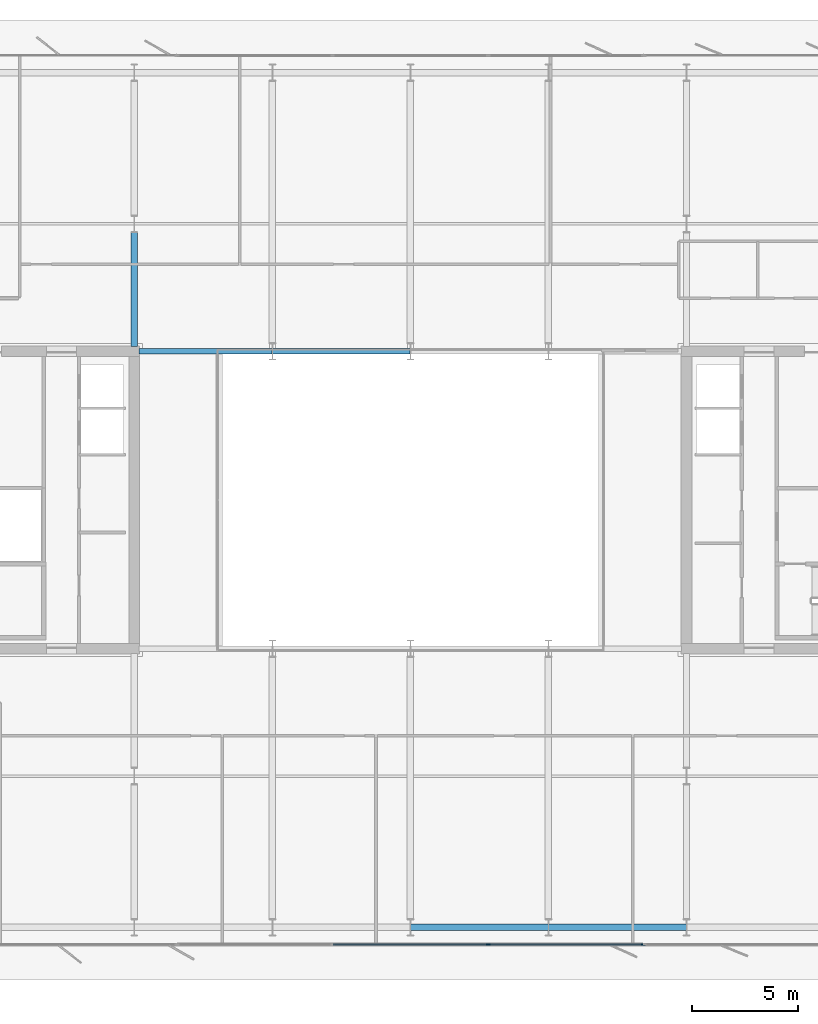
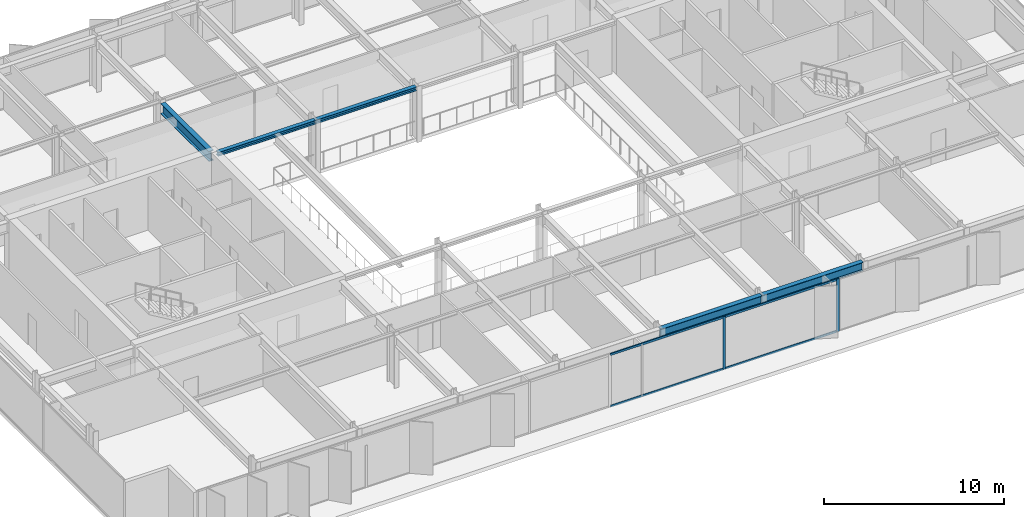
# One storey, part 6 of 23: 6 members, 5 beams, 1 element without a shape of its own.
"""IFC4 building model written with IfcOpenShell, lengths in metres."""

from ifc_helpers import new_model, si_unit, direction, frame, origin, origin_2d, place, context, subcontext, project, spatial, rectangle, i_section, extrude, material, layer, layer_set, material_profile, profile_set, type_object, element, aggregate, save


model = new_model("IFC4")

# Units and contexts
model_context = context("Model", 3, precision=1e-05, world=origin(), true_north=direction((0.0, 1.0)))
body_context = subcontext(model_context, "Body", "Model", "MODEL_VIEW")
ifc_project = project(units=[si_unit("LENGTHUNIT", "METRE"), si_unit("AREAUNIT", "SQUARE_METRE"), si_unit("VOLUMEUNIT", "CUBIC_METRE"), si_unit("PLANEANGLEUNIT", "RADIAN"), si_unit("MASSUNIT", "GRAM", prefix="KILO")], contexts=[model_context])

# Site, building, storey
site_placement = place(None, origin())
site = spatial("IfcSite", under=ifc_project, at=site_placement, CompositionType="ELEMENT")
building_placement = place(site_placement, origin())
building = spatial("IfcBuilding", under=site, at=building_placement, Name="Putna Gate Headquarters", CompositionType="ELEMENT")
storey_placement = place(building_placement, frame((0.0, 0.0, 202.39990234375)))
storey = spatial("IfcBuildingStorey", under=building, at=storey_placement, Name="L50", CompositionType="ELEMENT", Elevation=202.39990234375)

# Beams
ifc_material_1 = material(Name="Steel S355J2", Category="steel")
ifc_material_profile_1 = material_profile(ifc_material_1, i_section(OverallWidth=0.260009765625, OverallDepth=0.260009765625, WebThickness=0.010009765625, FlangeThickness=0.017578125, at=origin_2d()), Name="Steel S355J2")
ifc_profile_set_1 = profile_set([ifc_material_profile_1], Name="Steel S355J2")
beam_type_1 = type_object("IfcBeamType", Name="BM-ATRIUM-HEB260", PredefinedType="BEAM", material=ifc_profile_set_1)
beam_1_placement = place(storey_placement, frame((26.235107421875, 33.0, 3.4501953125), z_axis=(1.0, 0.0, 0.0), x_axis=(0.0, 1.0, 0.0)))
element("IfcBeam", 1, at=beam_1_placement, inside=storey, type_object=beam_type_1, Name="L50 Atrium Edge Beam AN1", PredefinedType="BEAM", context=body_context, shape_type="SweptSolid", body=[
    extrude(i_section(OverallWidth=0.260009765625, OverallDepth=0.260009765625, WebThickness=0.010009765625, FlangeThickness=0.017578125, at=origin_2d()), origin(), (0.0, 0.0, 1.0), 6.2587890625),
])
beam_2_placement = place(storey_placement, frame((32.506103515625, 33.0, 3.4501953125), z_axis=(1.0, 0.0, 0.0), x_axis=(0.0, 1.0, 0.0)))
element("IfcBeam", 2, at=beam_2_placement, inside=storey, type_object=beam_type_1, Name="L50 Atrium Edge Beam AN2", PredefinedType="BEAM", context=body_context, shape_type="SweptSolid", body=[
    extrude(i_section(OverallWidth=0.260009765625, OverallDepth=0.260009765625, WebThickness=0.010009765625, FlangeThickness=0.017578125, at=origin_2d()), origin(), (0.0, 0.0, 1.0), 6.48779296875),
])
ifc_material_profile_2 = material_profile(ifc_material_1, i_section(OverallWidth=0.300048828125, OverallDepth=0.699951171875, WebThickness=0.01708984375, FlangeThickness=0.031982421875, at=origin_2d()), Name="Steel S355J2")
ifc_profile_set_2 = profile_set([ifc_material_profile_2], Name="Steel S355J2")
beam_type_2 = type_object("IfcBeamType", Name="BM-GIRD-B-HEB700", PredefinedType="USERDEFINED", material=ifc_profile_set_2)
beam_3_placement = place(storey_placement, frame((26.0, 33.235107421875, 3.22998046875), z_axis=(0.0, 1.0, 0.0), x_axis=(-1.0, 0.0, 0.0)))
element("IfcBeam", 3, at=beam_3_placement, inside=storey, type_object=beam_type_2, Name="L50 North Primary Girder X26-1", ObjectType="GIRDER", PredefinedType="USERDEFINED", context=body_context, shape_type="SweptSolid", body=[
    extrude(i_section(OverallWidth=0.300048828125, OverallDepth=0.699951171875, WebThickness=0.01708984375, FlangeThickness=0.031982421875, at=origin_2d()), origin(), (0.0, 0.0, 1.0), 5.369873046875),
])
ifc_material_profile_3 = material_profile(ifc_material_1, i_section(OverallWidth=0.300048828125, OverallDepth=0.590087890625, WebThickness=0.012939453125, FlangeThickness=0.02490234375, at=origin_2d()), Name="Steel S355J2")
ifc_profile_set_3 = profile_set([ifc_material_profile_3], Name="Steel S355J2")
beam_type_3 = type_object("IfcBeamType", Name="BM-SPAN-Z4-HEA600", PredefinedType="SPANDREL", material=ifc_profile_set_3)
for number, where, z_axis, x_axis, name in (
    (4, (39.006103515625, 5.8798828125, 3.28515625), (1.0, 0.0, 0.0), (0.0, 1.0, 0.0), "L50 S Perimeter Spandrel 5"),
    (5, (45.506103515625, 5.8798828125, 3.28515625), (1.0, 0.0, 0.0), (0.0, 1.0, 0.0), "L50 S Perimeter Spandrel 6"),
):
    element("IfcBeam", number, at=place(storey_placement, frame(where, z_axis=z_axis, x_axis=x_axis)), inside=storey, type_object=beam_type_3, Name=name, PredefinedType="SPANDREL", context=body_context, shape_type="SweptSolid", body=[
        extrude(i_section(OverallWidth=0.300048828125, OverallDepth=0.590087890625, WebThickness=0.012939453125, FlangeThickness=0.02490234375, at=origin_2d()), origin(), (0.0, 0.0, 1.0), 6.48779296875),
    ])

# Curtain wall, members
ifc_material_2 = material(Name="Anodised bronze aluminium curtain wall", Category="aluminium")
ifc_layer = layer(ifc_material_2, 0.179931640625)
ifc_layer_set = layer_set([ifc_layer], Name="Anodised bronze aluminium curtain wall")
curtain_wall_type = type_object("IfcCurtainWallType", Name="CW-SYS-ATR", PredefinedType="USERDEFINED", material=ifc_layer_set)
curtain_wall_placement = place(storey_placement, origin())
curtain_wall = element("IfcCurtainWall", 6, at=curtain_wall_placement, inside=storey, type_object=curtain_wall_type, Name="L50 South Atrium Clear Glazing", ObjectType="ATRIUM GLAZING", PredefinedType="USERDEFINED")
ifc_material_3 = material(Name="Anodised bronze aluminium EN AW-6060", Category="aluminium")
ifc_material_profile_4 = material_profile(ifc_material_3, rectangle(XDim=0.070068359375, YDim=0.179931640625, at=origin_2d()), Name="Anodised bronze aluminium EN AW-6060")
ifc_profile_set_4 = profile_set([ifc_material_profile_4], Name="Anodised bronze aluminium EN AW-6060")
member_type_1 = type_object("IfcMemberType", Name="MULL-CWM-AT", PredefinedType="MULLION", material=ifc_profile_set_4)
member_1_placement = place(storey_placement, frame((42.666748046875, 5.080078125, 0.0), z_axis=(0.0, 0.0, 1.0), x_axis=(0.0, 1.0, 0.0)))
member_1 = element("IfcMember", 7, at=member_1_placement, type_object=member_type_1, Name="CWS-AT mullion 3", PredefinedType="MULLION", context=body_context, shape_type="SweptSolid", body=[
    extrude(rectangle(XDim=0.070068359375, YDim=0.179931640625, at=origin_2d()), origin(), (0.0, 0.0, 1.0), 3.580078125),
])
member_2_placement = place(storey_placement, frame((49.965087890625, 5.080078125, 0.0), z_axis=(0.0, 0.0, 1.0), x_axis=(0.0, 1.0, 0.0)))
member_2 = element("IfcMember", 8, at=member_2_placement, type_object=member_type_1, Name="CWS-AT mullion 4", PredefinedType="MULLION", context=body_context, shape_type="SweptSolid", body=[
    extrude(rectangle(XDim=0.070068359375, YDim=0.179931640625, at=origin_2d()), origin(), (0.0, 0.0, 1.0), 3.580078125),
])
ifc_material_profile_5 = material_profile(ifc_material_3, rectangle(XDim=0.070068359375, YDim=0.139892578125, at=origin_2d()), Name="Anodised bronze aluminium EN AW-6060")
ifc_profile_set_5 = profile_set([ifc_material_profile_5], Name="Anodised bronze aluminium EN AW-6060")
member_type_2 = type_object("IfcMemberType", Name="TRAN-CWT-AT", PredefinedType="USERDEFINED", material=ifc_profile_set_5)
member_3_placement = place(storey_placement, frame((35.368408203125, 5.080078125, 0.03515625), z_axis=(1.0, 0.0, 0.0), x_axis=(0.0, 1.0, 0.0)))
member_3 = element("IfcMember", 9, at=member_3_placement, type_object=member_type_2, Name="CWS-AT transom 2.1", ObjectType="TRANSOM", PredefinedType="USERDEFINED", context=body_context, shape_type="SweptSolid", body=[
    extrude(rectangle(XDim=0.070068359375, YDim=0.139892578125, at=origin_2d()), origin(), (0.0, 0.0, 1.0), 7.26318359375),
])
member_4_placement = place(storey_placement, frame((35.368408203125, 5.080078125, 3.545166015625), z_axis=(1.0, 0.0, 0.0), x_axis=(0.0, 1.0, 0.0)))
member_4 = element("IfcMember", 10, at=member_4_placement, type_object=member_type_2, Name="CWS-AT transom 2.2", ObjectType="TRANSOM", PredefinedType="USERDEFINED", context=body_context, shape_type="SweptSolid", body=[
    extrude(rectangle(XDim=0.070068359375, YDim=0.139892578125, at=origin_2d()), origin(), (0.0, 0.0, 1.0), 7.26318359375),
])
member_5_placement = place(storey_placement, frame((42.70166015625, 5.080078125, 0.03515625), z_axis=(1.0, 0.0, 0.0), x_axis=(0.0, 1.0, 0.0)))
member_5 = element("IfcMember", 11, at=member_5_placement, type_object=member_type_2, Name="CWS-AT transom 3.1", ObjectType="TRANSOM", PredefinedType="USERDEFINED", context=body_context, shape_type="SweptSolid", body=[
    extrude(rectangle(XDim=0.070068359375, YDim=0.139892578125, at=origin_2d()), origin(), (0.0, 0.0, 1.0), 7.228271484375),
])
member_6_placement = place(storey_placement, frame((42.70166015625, 5.080078125, 3.545166015625), z_axis=(1.0, 0.0, 0.0), x_axis=(0.0, 1.0, 0.0)))
member_6 = element("IfcMember", 12, at=member_6_placement, type_object=member_type_2, Name="CWS-AT transom 3.2", ObjectType="TRANSOM", PredefinedType="USERDEFINED", context=body_context, shape_type="SweptSolid", body=[
    extrude(rectangle(XDim=0.070068359375, YDim=0.139892578125, at=origin_2d()), origin(), (0.0, 0.0, 1.0), 7.228271484375),
])
aggregate(curtain_wall, [member_1, member_2, member_3, member_4, member_5, member_6])

save(model, "model.ifc")
